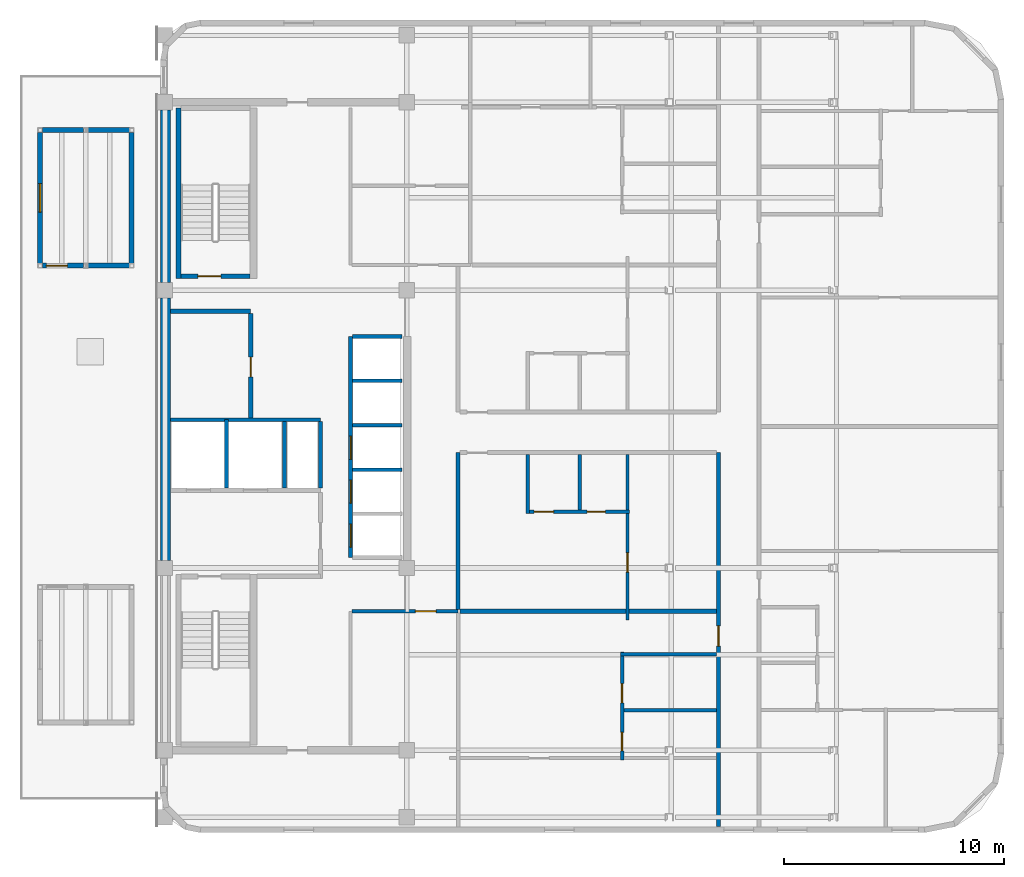
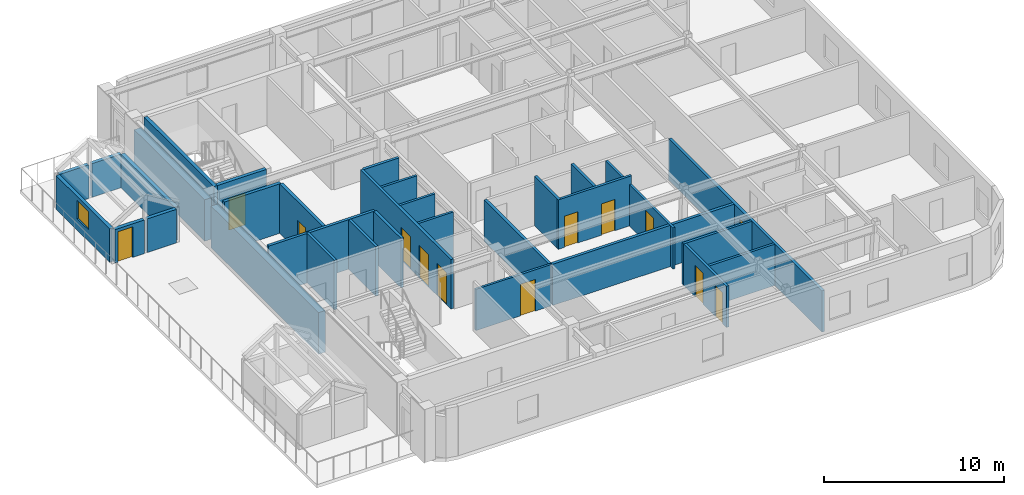
# One storey, part 9 of 13: 32 walls, 13 doors, 1 window, 14 openings.
"""IFC4 building model written with IfcOpenShell, lengths in metres."""

from ifc_helpers import new_model, si_unit, direction, frame, frame_2d, origin, place, context, subcontext, project, spatial, rectangle, extrude, material, layer, layer_set, type_object, element, fill, save


model = new_model("IFC4")

# Units and contexts
model_context = context("Model", 3, precision=1e-05, world=origin(), true_north=direction((0.0, 1.0)))
body_context = subcontext(model_context, "Body", "Model", "MODEL_VIEW")
ifc_project = project(units=[si_unit("LENGTHUNIT", "METRE"), si_unit("AREAUNIT", "SQUARE_METRE"), si_unit("VOLUMEUNIT", "CUBIC_METRE"), si_unit("PLANEANGLEUNIT", "RADIAN"), si_unit("MASSUNIT", "GRAM", prefix="KILO")], contexts=[model_context])

# Site, building, storey
site_placement = place(None, origin())
site = spatial("IfcSite", under=ifc_project, at=site_placement, CompositionType="ELEMENT")
building_placement = place(site_placement, origin())
building = spatial("IfcBuilding", under=site, at=building_placement, Name="Ochreholt Gables", CompositionType="ELEMENT")
storey_placement = place(building_placement, frame((0.0, 0.0, 205.800048828125)))
storey = spatial("IfcBuildingStorey", under=building, at=storey_placement, Name="L53", CompositionType="ELEMENT", Elevation=205.800048828125)

# Walls
ifc_material_1 = material(Name="Concrete 50 MPa", Category="concrete")
ifc_layer_1 = layer(ifc_material_1, 0.449951171875, Name="Concrete 50 MPa")
ifc_layer_set_1 = layer_set([ifc_layer_1], Name="Concrete 50 MPa")
wall_type_1 = type_object("IfcWallType", Name="WALL-CSW-EXT", PredefinedType="SHEAR", material=ifc_layer_set_1)
wall_1_placement = place(storey_placement, frame((24.22509765625, 17.89990234375, 0.0), z_axis=(0.0, 0.0, 1.0), x_axis=(0.0, 1.0, 0.0)))
element("IfcWall", 1, at=wall_1_placement, inside=storey, type_object=wall_type_1, Name="L53 Core West Shear Wall WM", PredefinedType="SHEAR", context=body_context, shape_type="SweptSolid", body=[
    extrude(rectangle(XDim=11.9501953125, YDim=0.449951171875, at=frame_2d((5.97509765625, 0.0))), origin(), (0.0, 0.0, 1.0), 2.821044921875),
])
wall_2_placement = place(storey_placement, frame((24.22509765625, 30.550048828125, 0.0), z_axis=(0.0, 0.0, 1.0), x_axis=(0.0, 1.0, 0.0)))
element("IfcWall", 2, at=wall_2_placement, inside=storey, type_object=wall_type_1, Name="L53 Core West Shear Wall WN", PredefinedType="SHEAR", context=body_context, shape_type="SweptSolid", body=[
    extrude(rectangle(XDim=7.849853515625, YDim=0.449951171875, at=frame_2d((3.9248046875, 0.0))), origin(), (0.0, 0.0, 1.0), 2.821044921875),
])

# Wall, opening, door
ifc_material_2 = material(Name="Precast concrete 40 MPa", Category="concrete")
ifc_layer_2 = layer(ifc_material_2, 0.22998046875, Name="Precast concrete 40 MPa")
ifc_layer_set_2 = layer_set([ifc_layer_2], Name="Precast concrete 40 MPa")
wall_type_2 = type_object("IfcWallType", Name="WALL-EXT-GAB", PredefinedType="SOLIDWALL", material=ifc_layer_set_2)
wall_3_placement = place(storey_placement, frame((18.6220703125, 31.31494140625, 0.0), z_axis=(0.0, 0.0, 1.0), x_axis=(1.0, 0.0, 0.0)))
wall_3 = element("IfcWall", 3, at=wall_3_placement, inside=storey, type_object=wall_type_2, Name="L53 Gable End Wall GB-53W2-S1", PredefinedType="SOLIDWALL", context=body_context, shape_type="SweptSolid", body=[
    extrude(rectangle(XDim=1.8759765625, YDim=0.22998046875, at=frame_2d((0.93798828125, 0.0))), origin(), (0.0, 0.0, 1.0), 2.28076171875),
])
opening_1_placement = place(wall_3_placement, frame((0.179931640625, 0.0, 0.0)))
opening_1 = element("IfcOpeningElement", 4, at=opening_1_placement, cuts=wall_3, Name="Opening D-GB1", PredefinedType="OPENING", context=body_context, shape_type="SweptSolid", body=[
    extrude(rectangle(XDim=0.9599609375, YDim=2.080078125, at=frame_2d((0.47998046875, 1.0400390625))), frame((0.0, 0.125, 0.0), z_axis=(0.0, -1.0, 0.0), x_axis=(1.0, 0.0, 0.0)), (0.0, 0.0, 1.0), 0.25),
])
ifc_material_3 = material(Name="Thermally Broken Insulated Steel and Glass Door", Category="steel")
door_type_1 = type_object("IfcDoorType", Name="DR-EXT-GAB960", OperationType="NOTDEFINED", PredefinedType="DOOR", material=ifc_material_3)
door_1_placement = place(opening_1_placement, origin())
door_1 = element("IfcDoor", 5, at=door_1_placement, inside=storey, type_object=door_type_1, Name="L53 Gable Pavilion Door GB-53W2", OperationType="SINGLE_SWING_LEFT", OverallHeight=2.080078125, OverallWidth=0.9599609375, PredefinedType="DOOR", context=body_context, shape_type="SweptSolid", body=[
    extrude(rectangle(XDim=0.9599609375, YDim=2.080078125, at=frame_2d((0.47998046875, 1.0400390625))), frame((0.0, 0.02490234375, 0.0), z_axis=(0.0, -1.0, 0.0), x_axis=(1.0, 0.0, 0.0)), (0.0, 0.0, 1.0), 0.050048828125),
])
fill(opening_1, door_1)

# Walls
for number, where, z_axis, x_axis, name in (
    (6, (20.701904296875, 31.31494140625, 0.0), (0.0, 0.0, 1.0), (1.0, 0.0, 0.0), "L53 Gable End Wall GB-53W2-S2"),
    (7, (18.6220703125, 37.485107421875, 0.0), (0.0, 0.0, 1.0), (1.0, 0.0, 0.0), "L53 Gable End Wall GB-53W2-N1"),
    (8, (20.701904296875, 37.485107421875, 0.0), (0.0, 0.0, 1.0), (1.0, 0.0, 0.0), "L53 Gable End Wall GB-53W2-N2"),
):
    element("IfcWall", number, at=place(storey_placement, frame(where, z_axis=z_axis, x_axis=x_axis)), inside=storey, type_object=wall_type_2, Name=name, PredefinedType="SOLIDWALL", context=body_context, shape_type="SweptSolid", body=[
        extrude(rectangle(XDim=1.8759765625, YDim=0.22998046875, at=frame_2d((0.93798828125, 0.0))), origin(), (0.0, 0.0, 1.0), 2.28076171875),
    ])

# Wall, opening, window
wall_4_placement = place(storey_placement, frame((18.514892578125, 31.422119140625, 0.0), z_axis=(0.0, 0.0, 1.0), x_axis=(0.0, 1.0, 0.0)))
wall_4 = element("IfcWall", 9, at=wall_4_placement, inside=storey, type_object=wall_type_2, Name="L53 Gable Eave Wall GB-53W2-W", PredefinedType="SOLIDWALL", context=body_context, shape_type="SweptSolid", body=[
    extrude(rectangle(XDim=5.955810546875, YDim=0.22998046875, at=frame_2d((2.97802734375, 0.0))), origin(), (0.0, 0.0, 1.0), 2.28076171875),
])
opening_2_placement = place(wall_4_placement, frame((2.327880859375, 0.0, 0.780029296875)))
opening_2 = element("IfcOpeningElement", 10, at=opening_2_placement, cuts=wall_4, Name="Opening WN-6", PredefinedType="OPENING", context=body_context, shape_type="SweptSolid", body=[
    extrude(rectangle(XDim=1.300048828125, YDim=1.25, at=frame_2d((0.64990234375, 0.625))), frame((0.0, 0.125, 0.0), z_axis=(0.0, -1.0, 0.0), x_axis=(1.0, 0.0, 0.0)), (0.0, 0.0, 1.0), 0.25),
])
ifc_material_4 = material(Name="Triple-Glazed Thermally Broken Aluminium Window", Category="aluminium")
window_type = type_object("IfcWindowType", Name="WIN-GAB-1300", PartitioningType="SINGLE_PANEL", PredefinedType="WINDOW", material=ifc_material_4)
window_placement = place(opening_2_placement, origin())
window = element("IfcWindow", 11, at=window_placement, inside=storey, type_object=window_type, Name="L53 Gable Pavilion Window GB-53W2", OverallHeight=1.25, OverallWidth=1.300048828125, PartitioningType="SINGLE_PANEL", PredefinedType="WINDOW", context=body_context, shape_type="SweptSolid", body=[
    extrude(rectangle(XDim=1.300048828125, YDim=1.25, at=frame_2d((0.64990234375, 0.625))), frame((0.0, 0.030029296875, 0.0), z_axis=(0.0, -1.0, 0.0), x_axis=(1.0, 0.0, 0.0)), (0.0, 0.0, 1.0), 0.06005859375),
])
fill(opening_2, window)

# Walls
wall_5_placement = place(storey_placement, frame((22.68505859375, 31.422119140625, 0.0), z_axis=(0.0, 0.0, 1.0), x_axis=(0.0, 1.0, 0.0)))
element("IfcWall", 12, at=wall_5_placement, inside=storey, type_object=wall_type_2, Name="L53 Gable Eave Wall GB-53W2-E", PredefinedType="SOLIDWALL", context=body_context, shape_type="SweptSolid", body=[
    extrude(rectangle(XDim=5.955810546875, YDim=0.22998046875, at=frame_2d((2.97802734375, 0.0))), origin(), (0.0, 0.0, 1.0), 2.28076171875),
])
ifc_material_5 = material(Name="Concrete 40 MPa", Category="concrete")
ifc_layer_3 = layer(ifc_material_5, 0.199951171875, Name="Concrete 40 MPa")
ifc_layer_set_3 = layer_set([ifc_layer_3], Name="Concrete 40 MPa")
wall_type_3 = type_object("IfcWallType", Name="WALL-INT-CF200", PredefinedType="STANDARD", material=ifc_layer_set_3)
wall_6_placement = place(storey_placement, frame((24.449951171875, 29.239990234375, 0.0), z_axis=(0.0, 0.0, 1.0), x_axis=(1.0, 0.0, 0.0)))
element("IfcWall", 13, at=wall_6_placement, inside=storey, type_object=wall_type_3, Name="L53 Interior Wall WI-SRVN-L53", PredefinedType="STANDARD", context=body_context, shape_type="SweptSolid", body=[
    extrude(rectangle(XDim=3.650146484375, YDim=0.199951171875, at=frame_2d((1.8251953125, 0.0))), origin(), (0.0, 0.0, 1.0), 3.35986328125),
])

# Wall, opening, door
wall_7_placement = place(storey_placement, frame((28.10009765625, 24.389892578125, 0.0), z_axis=(0.0, 0.0, 1.0), x_axis=(0.0, 1.0, 0.0)))
wall_7 = element("IfcWall", 14, at=wall_7_placement, inside=storey, type_object=wall_type_3, Name="L53 Interior Wall WI-SRVE-L53", PredefinedType="STANDARD", context=body_context, shape_type="SweptSolid", body=[
    extrude(rectangle(XDim=4.75, YDim=0.199951171875, at=frame_2d((2.375, 0.0))), origin(), (0.0, 0.0, 1.0), 3.35986328125),
])
opening_3_placement = place(wall_7_placement, frame((1.860107421875, 0.0, 0.0)))
opening_3 = element("IfcOpeningElement", 15, at=opening_3_placement, cuts=wall_7, Name="Opening D-SV1", PredefinedType="OPENING", context=body_context, shape_type="SweptSolid", body=[
    extrude(rectangle(XDim=0.89990234375, YDim=2.10009765625, at=frame_2d((0.449951171875, 1.050048828125))), frame((0.0, 0.10986328125, 0.0), z_axis=(0.0, -1.0, 0.0), x_axis=(1.0, 0.0, 0.0)), (0.0, 0.0, 1.0), 0.219970703125),
])
ifc_material_6 = material(Name="Hollow Metal Steel", Category="steel")
door_type_2 = type_object("IfcDoorType", Name="DR-INT-SRV900", OperationType="NOTDEFINED", PredefinedType="DOOR", material=ifc_material_6)
door_2_placement = place(opening_3_placement, origin())
door_2 = element("IfcDoor", 16, at=door_2_placement, inside=storey, type_object=door_type_2, Name="L53 Door D-SRV1-L53", OperationType="SINGLE_SWING_LEFT", OverallHeight=2.10009765625, OverallWidth=0.89990234375, PredefinedType="DOOR", context=body_context, shape_type="SweptSolid", body=[
    extrude(rectangle(XDim=0.89990234375, YDim=2.10009765625, at=frame_2d((0.449951171875, 1.050048828125))), frame((0.0, 0.02490234375, 0.0), z_axis=(0.0, -1.0, 0.0), x_axis=(1.0, 0.0, 0.0)), (0.0, 0.0, 1.0), 0.050048828125),
])
fill(opening_3, door_2)

# Wall
ifc_material_7 = material(Name="Fire-Rated Gypsum Acoustic Partition", Category="gypsum")
ifc_layer_4 = layer(ifc_material_7, 0.179931640625, Name="Fire-Rated Gypsum Acoustic Partition")
ifc_layer_set_4 = layer_set([ifc_layer_4], Name="Fire-Rated Gypsum Acoustic Partition")
wall_type_4 = type_object("IfcWallType", Name="WALL-INT-CR180", PredefinedType="STANDARD", material=ifc_layer_set_4)
wall_8_placement = place(storey_placement, frame((37.550048828125, 15.652587890625, 0.0), z_axis=(0.0, 0.0, 1.0), x_axis=(0.0, 1.0, 0.0)))
element("IfcWall", 17, at=wall_8_placement, inside=storey, type_object=wall_type_4, Name="L53 Interior Wall WI-C3CE0-L53", PredefinedType="STANDARD", context=body_context, shape_type="SweptSolid", body=[
    extrude(rectangle(XDim=7.1474609375, YDim=0.179931640625, at=frame_2d((3.57373046875, 0.0))), origin(), (0.0, 0.0, 1.0), 2.802978515625),
])

# Wall, opening, door
wall_9_placement = place(storey_placement, frame((49.39990234375, 5.77001953125, 0.0), z_axis=(0.0, 0.0, 1.0), x_axis=(0.0, 1.0, 0.0)))
wall_9 = element("IfcWall", 18, at=wall_9_placement, inside=storey, type_object=wall_type_4, Name="L53 Interior Wall WI-C3GW0-L53", PredefinedType="STANDARD", context=body_context, shape_type="SweptSolid", body=[
    extrude(rectangle(XDim=17.030029296875, YDim=0.179931640625, at=frame_2d((8.51513671875, 0.0))), origin(), (0.0, 0.0, 1.0), 2.802978515625),
])
opening_4_placement = place(wall_9_placement, frame((8.22265625, 0.0, 0.0)))
opening_4 = element("IfcOpeningElement", 19, at=opening_4_placement, cuts=wall_9, Name="Opening D-UN1", PredefinedType="OPENING", context=body_context, shape_type="SweptSolid", body=[
    extrude(rectangle(XDim=0.919921875, YDim=2.14990234375, at=frame_2d((0.4599609375, 1.074951171875))), frame((0.0, 0.099853515625, 0.0), z_axis=(0.0, -1.0, 0.0), x_axis=(1.0, 0.0, 0.0)), (0.0, 0.0, 1.0), 0.199951171875),
])
ifc_material_8 = material(Name="Engineered Oak Timber", Category="wood")
door_type_3 = type_object("IfcDoorType", Name="DR-INT-UNT920", OperationType="NOTDEFINED", PredefinedType="DOOR", material=ifc_material_8)
door_3_placement = place(opening_4_placement, origin())
door_3 = element("IfcDoor", 20, at=door_3_placement, inside=storey, type_object=door_type_3, Name="L53 Door D-U-L53SM1-ENT", OperationType="SINGLE_SWING_RIGHT", OverallHeight=2.14990234375, OverallWidth=0.919921875, PredefinedType="DOOR", context=body_context, shape_type="SweptSolid", body=[
    extrude(rectangle(XDim=0.919921875, YDim=2.14990234375, at=frame_2d((0.4599609375, 1.074951171875))), frame((0.0, 0.02490234375, 0.0), z_axis=(0.0, -1.0, 0.0), x_axis=(1.0, 0.0, 0.0)), (0.0, 0.0, 1.0), 0.050048828125),
])
fill(opening_4, door_3)

# Walls
ifc_material_9 = material(Name="Double-Stud Acoustic Demising Wall", Category="gypsum")
ifc_layer_5 = layer(ifc_material_9, 0.18505859375, Name="Double-Stud Acoustic Demising Wall")
ifc_layer_set_5 = layer_set([ifc_layer_5], Name="Double-Stud Acoustic Demising Wall")
wall_type_5 = type_object("IfcWallType", Name="WALL-INT-DM185", PredefinedType="PARTITIONING", material=ifc_layer_set_5)
wall_10_placement = place(storey_placement, frame((37.639892578125, 15.580078125, 0.0), z_axis=(0.0, 0.0, 1.0), x_axis=(1.0, 0.0, 0.0)))
element("IfcWall", 21, at=wall_10_placement, inside=storey, type_object=wall_type_5, Name="L53 Interior Wall WI-C3SMY-L53", PredefinedType="PARTITIONING", context=body_context, shape_type="SweptSolid", body=[
    extrude(rectangle(XDim=11.670166015625, YDim=0.18505859375, at=frame_2d((5.8349609375, 0.0))), origin(), (0.0, 0.0, 1.0), 2.802978515625),
])
ifc_material_10 = material(Name="Moisture-Resistant Plumbing Chase Wall", Category="gypsum")
ifc_layer_6 = layer(ifc_material_10, 0.159912109375, Name="Moisture-Resistant Plumbing Chase Wall")
ifc_layer_set_6 = layer_set([ifc_layer_6], Name="Moisture-Resistant Plumbing Chase Wall")
wall_type_6 = type_object("IfcWallType", Name="WALL-INT-PL160", PredefinedType="PLUMBINGWALL", material=ifc_layer_set_6)
wall_11_placement = place(storey_placement, frame((44.929931640625, 13.6328125, 0.0), z_axis=(0.0, 0.0, 1.0), x_axis=(1.0, 0.0, 0.0)))
element("IfcWall", 22, at=wall_11_placement, inside=storey, type_object=wall_type_6, Name="L53 Interior Wall WU-L53SM1-FYN", PredefinedType="PLUMBINGWALL", context=body_context, shape_type="SweptSolid", body=[
    extrude(rectangle(XDim=4.380126953125, YDim=0.159912109375, at=frame_2d((2.18994140625, 0.0))), origin(), (0.0, 0.0, 1.0), 2.802978515625),
])

# Wall, openings, doors
wall_12_placement = place(storey_placement, frame((45.010009765625, 8.80712890625, 0.0), z_axis=(0.0, 0.0, 1.0), x_axis=(0.0, 1.0, 0.0)))
wall_12 = element("IfcWall", 23, at=wall_12_placement, inside=storey, type_object=wall_type_6, Name="L53 Interior Wall WU-L53SM1-WX", PredefinedType="PLUMBINGWALL", context=body_context, shape_type="SweptSolid", body=[
    extrude(rectangle(XDim=4.91552734375, YDim=0.159912109375, at=frame_2d((2.457763671875, 0.0))), origin(), (0.0, 0.0, 1.0), 2.802978515625),
])
opening_5_placement = place(wall_12_placement, frame((0.419921875, 0.0, 0.0)))
opening_5 = element("IfcOpeningElement", 24, at=opening_5_placement, cuts=wall_12, Name="Opening D-BT2", PredefinedType="OPENING", context=body_context, shape_type="SweptSolid", body=[
    extrude(rectangle(XDim=0.840087890625, YDim=2.1201171875, at=frame_2d((0.419921875, 1.06005859375))), frame((0.0, 0.08984375, 0.0), z_axis=(0.0, -1.0, 0.0), x_axis=(1.0, 0.0, 0.0)), (0.0, 0.0, 1.0), 0.179931640625),
])
opening_6_placement = place(wall_12_placement, frame((2.598388671875, 0.0, 0.0)))
opening_6 = element("IfcOpeningElement", 25, at=opening_6_placement, cuts=wall_12, Name="Opening D-GN2", PredefinedType="OPENING", context=body_context, shape_type="SweptSolid", body=[
    extrude(rectangle(XDim=0.8798828125, YDim=2.1201171875, at=frame_2d((0.43994140625, 1.06005859375))), frame((0.0, 0.08984375, 0.0), z_axis=(0.0, -1.0, 0.0), x_axis=(1.0, 0.0, 0.0)), (0.0, 0.0, 1.0), 0.179931640625),
])
door_type_4 = type_object("IfcDoorType", Name="DR-INT-BTH840", OperationType="NOTDEFINED", PredefinedType="DOOR", material=ifc_material_8)
door_4_placement = place(opening_5_placement, origin())
door_4 = element("IfcDoor", 26, at=door_4_placement, inside=storey, type_object=door_type_4, Name="L53 Door D-U-L53SM1-BTH", OperationType="SINGLE_SWING_LEFT", OverallHeight=2.1201171875, OverallWidth=0.840087890625, PredefinedType="DOOR", context=body_context, shape_type="SweptSolid", body=[
    extrude(rectangle(XDim=0.840087890625, YDim=2.1201171875, at=frame_2d((0.419921875, 1.06005859375))), frame((0.0, 0.02490234375, 0.0), z_axis=(0.0, -1.0, 0.0), x_axis=(1.0, 0.0, 0.0)), (0.0, 0.0, 1.0), 0.050048828125),
])
fill(opening_5, door_4)
door_type_5 = type_object("IfcDoorType", Name="DR-INT-GEN880", OperationType="NOTDEFINED", PredefinedType="DOOR", material=ifc_material_8)
door_5_placement = place(opening_6_placement, origin())
door_5 = element("IfcDoor", 27, at=door_5_placement, inside=storey, type_object=door_type_5, Name="L53 Door D-U-L53SM1-KIT", OperationType="SINGLE_SWING_RIGHT", OverallHeight=2.1201171875, OverallWidth=0.8798828125, PredefinedType="DOOR", context=body_context, shape_type="SweptSolid", body=[
    extrude(rectangle(XDim=0.8798828125, YDim=2.1201171875, at=frame_2d((0.43994140625, 1.06005859375))), frame((0.0, 0.02490234375, 0.0), z_axis=(0.0, -1.0, 0.0), x_axis=(1.0, 0.0, 0.0)), (0.0, 0.0, 1.0), 0.050048828125),
])
fill(opening_6, door_5)

# Wall
wall_13_placement = place(storey_placement, frame((45.090087890625, 11.075439453125, 0.0), z_axis=(0.0, 0.0, 1.0), x_axis=(1.0, 0.0, 0.0)))
element("IfcWall", 28, at=wall_13_placement, inside=storey, type_object=wall_type_6, Name="L53 Interior Wall WU-L53SM1-WK", PredefinedType="PLUMBINGWALL", context=body_context, shape_type="SweptSolid", body=[
    extrude(rectangle(XDim=4.219970703125, YDim=0.159912109375, at=frame_2d((2.10986328125, 0.0))), origin(), (0.0, 0.0, 1.0), 2.802978515625),
])

# Wall, openings, doors
wall_14_placement = place(storey_placement, frame((40.6298828125, 20.117431640625, 0.0), z_axis=(0.0, 0.0, 1.0), x_axis=(1.0, 0.0, 0.0)))
wall_14 = element("IfcWall", 29, at=wall_14_placement, inside=storey, type_object=wall_type_6, Name="L53 Interior Wall WU-L53SM2-WY", PredefinedType="PLUMBINGWALL", context=body_context, shape_type="SweptSolid", body=[
    extrude(rectangle(XDim=4.710205078125, YDim=0.159912109375, at=frame_2d((2.35498046875, 0.0))), origin(), (0.0, 0.0, 1.0), 3.35986328125),
])
opening_7_placement = place(wall_14_placement, frame((0.3798828125, 0.0, 0.0)))
opening_7 = element("IfcOpeningElement", 30, at=opening_7_placement, cuts=wall_14, Name="Opening D-GN2", PredefinedType="OPENING", context=body_context, shape_type="SweptSolid", body=[
    extrude(rectangle(XDim=0.8798828125, YDim=2.1201171875, at=frame_2d((0.43994140625, 1.06005859375))), frame((0.0, 0.08984375, 0.0), z_axis=(0.0, -1.0, 0.0), x_axis=(1.0, 0.0, 0.0)), (0.0, 0.0, 1.0), 0.179931640625),
])
opening_8_placement = place(wall_14_placement, frame((2.785888671875, 0.0, 0.0)))
opening_8 = element("IfcOpeningElement", 31, at=opening_8_placement, cuts=wall_14, Name="Opening D-BT2", PredefinedType="OPENING", context=body_context, shape_type="SweptSolid", body=[
    extrude(rectangle(XDim=0.840087890625, YDim=2.1201171875, at=frame_2d((0.419921875, 1.06005859375))), frame((0.0, 0.08984375, 0.0), z_axis=(0.0, -1.0, 0.0), x_axis=(1.0, 0.0, 0.0)), (0.0, 0.0, 1.0), 0.179931640625),
])
door_6_placement = place(opening_8_placement, origin())
door_6 = element("IfcDoor", 32, at=door_6_placement, inside=storey, type_object=door_type_4, Name="L53 Door D-U-L53SM2-BTH", OperationType="SINGLE_SWING_RIGHT", OverallHeight=2.1201171875, OverallWidth=0.840087890625, PredefinedType="DOOR", context=body_context, shape_type="SweptSolid", body=[
    extrude(rectangle(XDim=0.840087890625, YDim=2.1201171875, at=frame_2d((0.419921875, 1.06005859375))), frame((0.0, 0.02490234375, 0.0), z_axis=(0.0, -1.0, 0.0), x_axis=(1.0, 0.0, 0.0)), (0.0, 0.0, 1.0), 0.050048828125),
])
fill(opening_8, door_6)
door_7_placement = place(opening_7_placement, origin())
door_7 = element("IfcDoor", 33, at=door_7_placement, inside=storey, type_object=door_type_5, Name="L53 Door D-U-L53SM2-KIT", OperationType="SINGLE_SWING_LEFT", OverallHeight=2.1201171875, OverallWidth=0.8798828125, PredefinedType="DOOR", context=body_context, shape_type="SweptSolid", body=[
    extrude(rectangle(XDim=0.8798828125, YDim=2.1201171875, at=frame_2d((0.43994140625, 1.06005859375))), frame((0.0, 0.02490234375, 0.0), z_axis=(0.0, -1.0, 0.0), x_axis=(1.0, 0.0, 0.0)), (0.0, 0.0, 1.0), 0.050048828125),
])
fill(opening_7, door_7)

# Walls
wall_15_placement = place(storey_placement, frame((40.7099609375, 20.03759765625, 0.0), z_axis=(0.0, 0.0, 1.0), x_axis=(0.0, 1.0, 0.0)))
element("IfcWall", 34, at=wall_15_placement, inside=storey, type_object=wall_type_6, Name="L53 Interior Wall WU-L53SM2-FY", PredefinedType="PLUMBINGWALL", context=body_context, shape_type="SweptSolid", body=[
    extrude(rectangle(XDim=2.67236328125, YDim=0.159912109375, at=frame_2d((1.336181640625, 0.0))), origin(), (0.0, 0.0, 1.0), 3.35986328125),
])
wall_16_placement = place(storey_placement, frame((43.075927734375, 20.197509765625, 0.0), z_axis=(0.0, 0.0, 1.0), x_axis=(0.0, 1.0, 0.0)))
element("IfcWall", 35, at=wall_16_placement, inside=storey, type_object=wall_type_6, Name="L53 Interior Wall WU-L53SM2-WK", PredefinedType="PLUMBINGWALL", context=body_context, shape_type="SweptSolid", body=[
    extrude(rectangle(XDim=2.512451171875, YDim=0.159912109375, at=frame_2d((1.25634765625, 0.0))), origin(), (0.0, 0.0, 1.0), 3.35986328125),
])

# Wall, opening, door
ifc_material_11 = material(Name="Lightweight Stud Partition", Category="gypsum")
ifc_layer_7 = layer(ifc_material_11, 0.14501953125, Name="Lightweight Stud Partition")
ifc_layer_set_7 = layer_set([ifc_layer_7], Name="Lightweight Stud Partition")
wall_type_7 = type_object("IfcWallType", Name="WALL-INT-PT145", PredefinedType="PARTITIONING", material=ifc_layer_set_7)
wall_17_placement = place(storey_placement, frame((32.722412109375, 15.580078125, 0.0), z_axis=(0.0, 0.0, 1.0), x_axis=(1.0, 0.0, 0.0)))
wall_17 = element("IfcWall", 36, at=wall_17_placement, inside=storey, type_object=wall_type_7, Name="L53 Interior Wall WI-RCL-N-L53", PredefinedType="PARTITIONING", context=body_context, shape_type="SweptSolid", body=[
    extrude(rectangle(XDim=4.82763671875, YDim=0.14501953125, at=frame_2d((2.413818359375, 0.0))), origin(), (0.0, 0.0, 1.0), 2.802978515625),
])
opening_9_placement = place(wall_17_placement, frame((2.87744140625, 0.0, 0.0)))
opening_9 = element("IfcOpeningElement", 37, at=opening_9_placement, cuts=wall_17, Name="Opening D-GN1", PredefinedType="OPENING", context=body_context, shape_type="SweptSolid", body=[
    extrude(rectangle(XDim=0.949951171875, YDim=2.14990234375, at=frame_2d((0.47509765625, 1.074951171875))), frame((0.0, 0.08251953125, 0.0), z_axis=(0.0, -1.0, 0.0), x_axis=(1.0, 0.0, 0.0)), (0.0, 0.0, 1.0), 0.1650390625),
])
door_type_6 = type_object("IfcDoorType", Name="DR-INT-GEN950", OperationType="NOTDEFINED", PredefinedType="DOOR", material=ifc_material_8)
door_8_placement = place(opening_9_placement, origin())
door_8 = element("IfcDoor", 38, at=door_8_placement, inside=storey, type_object=door_type_6, Name="L53 Door D-RCL-L53", OperationType="SINGLE_SWING_LEFT", OverallHeight=2.14990234375, OverallWidth=0.949951171875, PredefinedType="DOOR", context=body_context, shape_type="SweptSolid", body=[
    extrude(rectangle(XDim=0.949951171875, YDim=2.14990234375, at=frame_2d((0.47509765625, 1.074951171875))), frame((0.0, 0.02490234375, 0.0), z_axis=(0.0, -1.0, 0.0), x_axis=(1.0, 0.0, 0.0)), (0.0, 0.0, 1.0), 0.050048828125),
])
fill(opening_9, door_8)

wall_18_placement = place(storey_placement, frame((45.260009765625, 15.18994140625, 0.0), z_axis=(0.0, 0.0, 1.0), x_axis=(0.0, 1.0, 0.0)))
wall_18 = element("IfcWall", 39, at=wall_18_placement, inside=storey, type_object=wall_type_7, Name="L53 Interior Wall WU-L53SM2-MNX", PredefinedType="PARTITIONING", context=body_context, shape_type="SweptSolid", body=[
    extrude(rectangle(XDim=7.52001953125, YDim=0.14501953125, at=frame_2d((3.760009765625, 0.0))), origin(), (0.0, 0.0, 1.0), 2.802978515625),
])
opening_10_placement = place(wall_18_placement, frame((2.173828125, 0.0, 0.0)))
opening_10 = element("IfcOpeningElement", 40, at=opening_10_placement, cuts=wall_18, Name="Opening D-BD2", PredefinedType="OPENING", context=body_context, shape_type="SweptSolid", body=[
    extrude(rectangle(XDim=0.8798828125, YDim=2.139892578125, at=frame_2d((0.43994140625, 1.06982421875))), frame((0.0, 0.08251953125, 0.0), z_axis=(0.0, -1.0, 0.0), x_axis=(1.0, 0.0, 0.0)), (0.0, 0.0, 1.0), 0.1650390625),
])
door_type_7 = type_object("IfcDoorType", Name="DR-INT-BED880", OperationType="NOTDEFINED", PredefinedType="DOOR", material=ifc_material_8)
door_9_placement = place(opening_10_placement, origin())
door_9 = element("IfcDoor", 41, at=door_9_placement, inside=storey, type_object=door_type_7, Name="L53 Door D-U-L53SM2-BD1", OperationType="SINGLE_SWING_LEFT", OverallHeight=2.139892578125, OverallWidth=0.8798828125, PredefinedType="DOOR", context=body_context, shape_type="SweptSolid", body=[
    extrude(rectangle(XDim=0.8798828125, YDim=2.139892578125, at=frame_2d((0.43994140625, 1.06982421875))), frame((0.0, 0.02490234375, 0.0), z_axis=(0.0, -1.0, 0.0), x_axis=(1.0, 0.0, 0.0)), (0.0, 0.0, 1.0), 0.050048828125),
])
fill(opening_10, door_9)

# Walls
ifc_material_12 = material(Name="Gypsum Shaftliner and Steel Stud", Category="steel")
ifc_layer_8 = layer(ifc_material_12, 0.14990234375, Name="Gypsum Shaftliner and Steel Stud")
ifc_layer_set_8 = layer_set([ifc_layer_8], Name="Gypsum Shaftliner and Steel Stud")
wall_type_8 = type_object("IfcWallType", Name="WALL-INT-SH150", PredefinedType="STANDARD", material=ifc_layer_set_8)
for number, where, z_axis, x_axis, name in (
    (42, (32.739990234375, 22.02001953125, 0.0), (0.0, 0.0, 1.0), (1.0, 0.0, 0.0), "L53 Interior Wall WI-LFHE-DH2-L53"),
    (43, (32.739990234375, 24.050048828125, 0.0), (0.0, 0.0, 1.0), (1.0, 0.0, 0.0), "L53 Interior Wall WI-LFHE-DHE-L53"),
    (44, (32.739990234375, 26.070068359375, 0.0), (0.0, 0.0, 1.0), (1.0, 0.0, 0.0), "L53 Interior Wall WI-LFHE-DEX1-L53"),
):
    element("IfcWall", number, at=place(storey_placement, frame(where, z_axis=z_axis, x_axis=x_axis)), inside=storey, type_object=wall_type_8, Name=name, PredefinedType="STANDARD", context=body_context, shape_type="SweptSolid", body=[
        extrude(rectangle(XDim=2.260009765625, YDim=0.14990234375, at=frame_2d((1.1298828125, 0.0))), origin(), (0.0, 0.0, 1.0), 3.35986328125),
    ])
ifc_layer_9 = layer(ifc_material_12, 0.179931640625, Name="Gypsum Shaftliner and Steel Stud")
ifc_layer_set_9 = layer_set([ifc_layer_9], Name="Gypsum Shaftliner and Steel Stud")
wall_type_9 = type_object("IfcWallType", Name="WALL-INT-SH180", PredefinedType="STANDARD", material=ifc_layer_set_9)
wall_19_placement = place(storey_placement, frame((27.0, 21.18994140625, 0.0), z_axis=(0.0, 0.0, 1.0), x_axis=(0.0, 1.0, 0.0)))
element("IfcWall", 45, at=wall_19_placement, inside=storey, type_object=wall_type_9, Name="L53 Interior Wall WI-FFDIV-L53", PredefinedType="STANDARD", context=body_context, shape_type="SweptSolid", body=[
    extrude(rectangle(XDim=3.110107421875, YDim=0.179931640625, at=frame_2d((1.55517578125, 0.0))), origin(), (0.0, 0.0, 1.0), 3.35986328125),
])
wall_20_placement = place(storey_placement, frame((24.449951171875, 24.300048828125, 0.0), z_axis=(0.0, 0.0, 1.0), x_axis=(1.0, 0.0, 0.0)))
element("IfcWall", 46, at=wall_20_placement, inside=storey, type_object=wall_type_9, Name="L53 Interior Wall WI-FFBK-L53", PredefinedType="STANDARD", context=body_context, shape_type="SweptSolid", body=[
    extrude(rectangle(XDim=6.830078125, YDim=0.179931640625, at=frame_2d((3.4150390625, 0.0))), origin(), (0.0, 0.0, 1.0), 3.35986328125),
])
for number, where, z_axis, x_axis, name in (
    (47, (29.64990234375, 21.18994140625, 0.0), (0.0, 0.0, 1.0), (0.0, 1.0, 0.0), "L53 Interior Wall WI-FFSH-L53"),
    (48, (31.280029296875, 21.18994140625, 0.0), (0.0, 0.0, 1.0), (0.0, 1.0, 0.0), "L53 Interior Wall WI-RSE-L53"),
):
    element("IfcWall", number, at=place(storey_placement, frame(where, z_axis=z_axis, x_axis=x_axis)), inside=storey, type_object=wall_type_9, Name=name, PredefinedType="STANDARD", context=body_context, shape_type="SweptSolid", body=[
        extrude(rectangle(XDim=3.02001953125, YDim=0.179931640625, at=frame_2d((1.510009765625, 0.0))), origin(), (0.0, 0.0, 1.0), 3.35986328125),
    ])

# Wall, openings, doors
wall_21_placement = place(storey_placement, frame((32.64990234375, 18.02001953125, 0.0), z_axis=(0.0, 0.0, 1.0), x_axis=(0.0, 1.0, 0.0)))
wall_21 = element("IfcWall", 49, at=wall_21_placement, inside=storey, type_object=wall_type_9, Name="L53 Interior Wall WI-LFHE-FR-L53", PredefinedType="STANDARD", context=body_context, shape_type="SweptSolid", body=[
    extrude(rectangle(XDim=10.06005859375, YDim=0.179931640625, at=frame_2d((5.030029296875, 0.0))), origin(), (0.0, 0.0, 1.0), 3.35986328125),
])
opening_11_placement = place(wall_21_placement, frame((0.47998046875, 0.0, 0.0)))
opening_11 = element("IfcOpeningElement", 50, at=opening_11_placement, cuts=wall_21, Name="Opening LD-PX", PredefinedType="OPENING", context=body_context, shape_type="SweptSolid", body=[
    extrude(rectangle(XDim=1.050048828125, YDim=2.199951171875, at=frame_2d((0.52490234375, 1.10009765625))), frame((0.0, 0.099853515625, 0.0), z_axis=(0.0, -1.0, 0.0), x_axis=(1.0, 0.0, 0.0)), (0.0, 0.0, 1.0), 0.199951171875),
])
opening_12_placement = place(wall_21_placement, frame((2.47998046875, 0.0, 0.0)))
opening_12 = element("IfcOpeningElement", 51, at=opening_12_placement, cuts=wall_21, Name="Opening LD-PX", PredefinedType="OPENING", context=body_context, shape_type="SweptSolid", body=[
    extrude(rectangle(XDim=1.050048828125, YDim=2.199951171875, at=frame_2d((0.52490234375, 1.10009765625))), frame((0.0, 0.099853515625, 0.0), z_axis=(0.0, -1.0, 0.0), x_axis=(1.0, 0.0, 0.0)), (0.0, 0.0, 1.0), 0.199951171875),
])
opening_13_placement = place(wall_21_placement, frame((4.47998046875, 0.0, 0.0)))
opening_13 = element("IfcOpeningElement", 52, at=opening_13_placement, cuts=wall_21, Name="Opening LD-PX", PredefinedType="OPENING", context=body_context, shape_type="SweptSolid", body=[
    extrude(rectangle(XDim=1.050048828125, YDim=2.199951171875, at=frame_2d((0.52490234375, 1.10009765625))), frame((0.0, 0.099853515625, 0.0), z_axis=(0.0, -1.0, 0.0), x_axis=(1.0, 0.0, 0.0)), (0.0, 0.0, 1.0), 0.199951171875),
])
ifc_material_13 = material(Name="Stainless Steel", Category="steel")
door_type_8 = type_object("IfcDoorType", Name="DR-LFT-PX1050", OperationType="NOTDEFINED", PredefinedType="DOOR", material=ifc_material_13)
door_10_placement = place(opening_11_placement, origin())
door_10 = element("IfcDoor", 53, at=door_10_placement, inside=storey, type_object=door_type_8, Name="L53 Door LD-LF-H1-L53", OperationType="SLIDING_TO_LEFT", OverallHeight=2.199951171875, OverallWidth=1.050048828125, PredefinedType="DOOR", context=body_context, shape_type="SweptSolid", body=[
    extrude(rectangle(XDim=1.050048828125, YDim=2.199951171875, at=frame_2d((0.52490234375, 1.10009765625))), frame((0.0, 0.02490234375, 0.0), z_axis=(0.0, -1.0, 0.0), x_axis=(1.0, 0.0, 0.0)), (0.0, 0.0, 1.0), 0.050048828125),
])
fill(opening_11, door_10)
door_11_placement = place(opening_12_placement, origin())
door_11 = element("IfcDoor", 54, at=door_11_placement, inside=storey, type_object=door_type_8, Name="L53 Door LD-LF-H2-L53", OperationType="SLIDING_TO_LEFT", OverallHeight=2.199951171875, OverallWidth=1.050048828125, PredefinedType="DOOR", context=body_context, shape_type="SweptSolid", body=[
    extrude(rectangle(XDim=1.050048828125, YDim=2.199951171875, at=frame_2d((0.52490234375, 1.10009765625))), frame((0.0, 0.02490234375, 0.0), z_axis=(0.0, -1.0, 0.0), x_axis=(1.0, 0.0, 0.0)), (0.0, 0.0, 1.0), 0.050048828125),
])
fill(opening_12, door_11)
door_12_placement = place(opening_13_placement, origin())
door_12 = element("IfcDoor", 55, at=door_12_placement, inside=storey, type_object=door_type_8, Name="L53 Door LD-LF-H3-L53", OperationType="SLIDING_TO_LEFT", OverallHeight=2.199951171875, OverallWidth=1.050048828125, PredefinedType="DOOR", context=body_context, shape_type="SweptSolid", body=[
    extrude(rectangle(XDim=1.050048828125, YDim=2.199951171875, at=frame_2d((0.52490234375, 1.10009765625))), frame((0.0, 0.02490234375, 0.0), z_axis=(0.0, -1.0, 0.0), x_axis=(1.0, 0.0, 0.0)), (0.0, 0.0, 1.0), 0.050048828125),
])
fill(opening_13, door_12)

# Walls
wall_22_placement = place(storey_placement, frame((32.739990234375, 28.080078125, 0.0), z_axis=(0.0, 0.0, 1.0), x_axis=(1.0, 0.0, 0.0)))
element("IfcWall", 56, at=wall_22_placement, inside=storey, type_object=wall_type_9, Name="L53 Interior Wall WI-LFHE-N-L53", PredefinedType="STANDARD", context=body_context, shape_type="SweptSolid", body=[
    extrude(rectangle(XDim=2.260009765625, YDim=0.179931640625, at=frame_2d((1.1298828125, 0.0))), origin(), (0.0, 0.0, 1.0), 3.35986328125),
])
ifc_layer_10 = layer(ifc_material_1, 0.219970703125, Name="Concrete 50 MPa")
ifc_layer_set_10 = layer_set([ifc_layer_10], Name="Concrete 50 MPa")
wall_type_10 = type_object("IfcWallType", Name="WALL-STW-220", PredefinedType="SHEAR", material=ifc_layer_set_10)
wall_23_placement = place(storey_placement, frame((24.81005859375, 30.739990234375, 0.0), z_axis=(0.0, 0.0, 1.0), x_axis=(0.0, 1.0, 0.0)))
element("IfcWall", 57, at=wall_23_placement, inside=storey, type_object=wall_type_10, Name="L53 Exit Stair 2 West Wall", PredefinedType="SHEAR", context=body_context, shape_type="SweptSolid", body=[
    extrude(rectangle(XDim=7.760009765625, YDim=0.219970703125, at=frame_2d((3.8798828125, 0.0))), origin(), (0.0, 0.0, 1.0), 3.35986328125),
])

# Wall, opening, door
wall_24_placement = place(storey_placement, frame((24.919921875, 30.830078125, 0.0), z_axis=(0.0, 0.0, 1.0), x_axis=(1.0, 0.0, 0.0)))
wall_24 = element("IfcWall", 58, at=wall_24_placement, inside=storey, type_object=wall_type_10, Name="L53 Exit Stair 2 South Wall", PredefinedType="SHEAR", context=body_context, shape_type="SweptSolid", body=[
    extrude(rectangle(XDim=3.16015625, YDim=0.219970703125, at=frame_2d((1.580078125, 0.0))), origin(), (0.0, 0.0, 1.0), 3.35986328125),
])
opening_14_placement = place(wall_24_placement, frame((0.780029296875, 0.0, 0.0)))
opening_14 = element("IfcOpeningElement", 59, at=opening_14_placement, cuts=wall_24, Name="Opening D-STC", PredefinedType="OPENING", context=body_context, shape_type="SweptSolid", body=[
    extrude(rectangle(XDim=1.050048828125, YDim=2.14990234375, at=frame_2d((0.52490234375, 1.074951171875))), frame((0.0, 0.119873046875, 0.0), z_axis=(0.0, -1.0, 0.0), x_axis=(1.0, 0.0, 0.0)), (0.0, 0.0, 1.0), 0.239990234375),
])
door_type_9 = type_object("IfcDoorType", Name="DR-INT-ST1050", OperationType="NOTDEFINED", PredefinedType="DOOR", material=ifc_material_6)
door_13_placement = place(opening_14_placement, origin())
door_13 = element("IfcDoor", 60, at=door_13_placement, inside=storey, type_object=door_type_9, Name="L53 Door D-ST2-L53", OperationType="SINGLE_SWING_RIGHT", OverallHeight=2.14990234375, OverallWidth=1.050048828125, PredefinedType="DOOR", context=body_context, shape_type="SweptSolid", body=[
    extrude(rectangle(XDim=1.050048828125, YDim=2.14990234375, at=frame_2d((0.52490234375, 1.074951171875))), frame((0.0, 0.02490234375, 0.0), z_axis=(0.0, -1.0, 0.0), x_axis=(1.0, 0.0, 0.0)), (0.0, 0.0, 1.0), 0.050048828125),
])
fill(opening_14, door_13)

save(model, "model.ifc")
